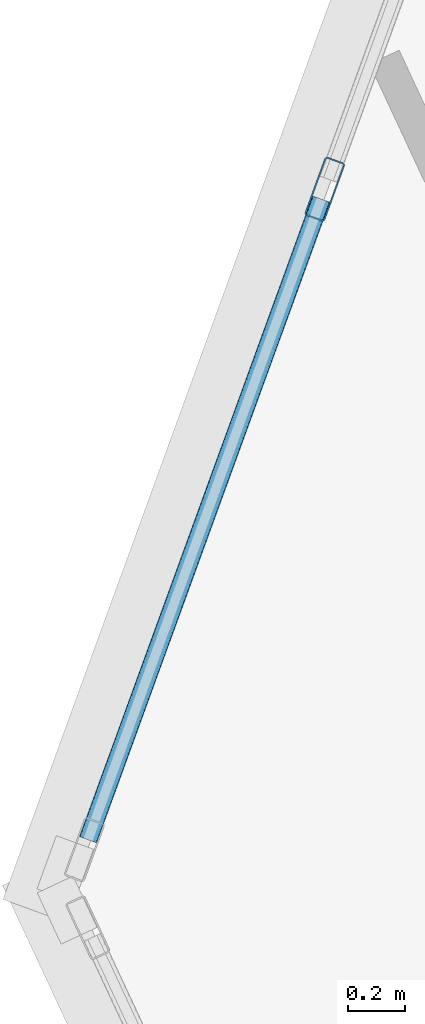
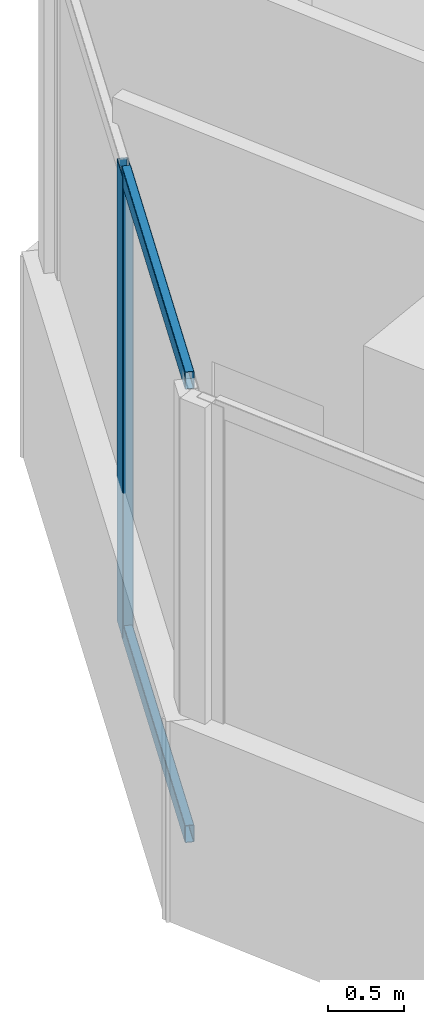
# One storey, part 6 of 17: 3 members, 1 element without a shape of its own.
"""IFC4 building model written with IfcOpenShell, lengths in metres."""

import ifcopenshell
import ifcopenshell.guid

model = None  # the IFC model being written
_history = None  # IfcOwnerHistory: only IFC2X3 demands one
_inside = {}  # id of a spatial element -> (the spatial element, [elements in it])
_under = {}  # id of a project, library or spatial element -> (it, [spatial elements below it])
_declared = {}  # id of a project -> (the project, [libraries it declares])
_typed = {}  # id of a type object -> (the type object, [elements of that type])
_made_of = {}  # id of a material, layer set ... -> (it, [elements and type objects made of it])


def new_model(schema):
    """Start an empty IFC model of exactly this schema.

    Asked for "IFC4X3", IfcOpenShell would pick the latest addendum, in which some entities
    have other attributes; the version numbers below select the first issue.
    IFC2X3 requires an IfcOwnerHistory on every rooted entity: one is made here for all.
    """
    global model, _history
    if schema == "IFC4X3":
        model = ifcopenshell.file(schema_version=(4, 3, 0, 0))
    else:
        model = ifcopenshell.file(schema=schema)
    _inside.clear()
    _under.clear()
    _declared.clear()
    _typed.clear()
    _made_of.clear()
    _history = None
    if model.schema == "IFC2X3":
        org = make("IfcOrganization", Name="unknown")
        user = make(
            "IfcPersonAndOrganization",
            ThePerson=make("IfcPerson", FamilyName="unknown"),
            TheOrganization=org,
        )
        app = make(
            "IfcApplication",
            ApplicationDeveloper=org,
            Version="unknown",
            ApplicationFullName="unknown",
            ApplicationIdentifier="unknown",
        )
        _history = make(
            "IfcOwnerHistory",
            OwningUser=user,
            OwningApplication=app,
            ChangeAction="ADDED",
            CreationDate=0,
        )
    return model


def make(cls, **values):
    """One entity of the class cls with the attributes given. An attribute that is None is left unset."""
    return model.create_entity(
        cls, **{name: value for name, value in values.items() if value is not None}
    )


def rooted(cls, **values):
    """An entity with a GlobalId (a new one), such as an element, a storey or a relation."""
    return make(cls, GlobalId=ifcopenshell.guid.new(), OwnerHistory=_history, **values)


def si_unit(unit_type, name, prefix=None):
    """IfcSIUnit, for example si_unit("LENGTHUNIT", "METRE", prefix="MILLI")."""
    return make("IfcSIUnit", UnitType=unit_type, Prefix=prefix, Name=name)


def assignment(units):
    """IfcUnitAssignment: the units of a project."""
    return None if units is None else make("IfcUnitAssignment", Units=units)


def point(xyz):
    """IfcCartesianPoint."""
    return None if xyz is None else make("IfcCartesianPoint", Coordinates=xyz)


def direction(xyz):
    """IfcDirection."""
    return None if xyz is None else make("IfcDirection", DirectionRatios=xyz)


def frame(location, z_axis=None, x_axis=None):
    """IfcAxis2Placement3D, a coordinate frame: its origin and axes. An axis left out is left unset."""
    return make(
        "IfcAxis2Placement3D",
        Location=point(location),
        Axis=direction(z_axis),
        RefDirection=direction(x_axis),
    )


def frame_2d(location, x_axis=None):
    """IfcAxis2Placement2D, a coordinate frame in the plane: its origin and x axis."""
    return make(
        "IfcAxis2Placement2D", Location=point(location), RefDirection=direction(x_axis)
    )


def origin():
    """The frame at (0, 0, 0) with its axes left unset."""
    return frame((0.0, 0.0, 0.0))


def origin_2d():
    """The frame at (0, 0) in the plane with its x axis left unset."""
    return frame_2d((0.0, 0.0))


def place(relative_to, where):
    """IfcLocalPlacement: puts the frame where relative to a parent placement (None: the world)."""
    return make(
        "IfcLocalPlacement", PlacementRelTo=relative_to, RelativePlacement=where
    )


def context(
    kind, dimensions, precision=None, world=None, true_north=None, identifier=None
):
    """IfcGeometricRepresentationContext, for example the 3D "Model" context."""
    return make(
        "IfcGeometricRepresentationContext",
        ContextIdentifier=identifier,
        ContextType=kind,
        CoordinateSpaceDimension=dimensions,
        Precision=precision,
        WorldCoordinateSystem=world,
        TrueNorth=true_north,
    )


def subcontext(parent, identifier, kind, view, scale=None):
    """IfcGeometricRepresentationSubContext, for example "Body" below "Model"."""
    return make(
        "IfcGeometricRepresentationSubContext",
        ContextIdentifier=identifier,
        ContextType=kind,
        ParentContext=parent,
        TargetScale=scale,
        TargetView=view,
    )


def project(units=None, contexts=None):
    """IfcProject with its units and contexts."""
    return rooted(
        "IfcProject",
        Name="project",
        RepresentationContexts=contexts,
        UnitsInContext=assignment(units),
    )


def spatial(cls, under=None, at=None, **own):
    """A site, building, storey or space (cls), placed at a placement, below another one or the project."""
    s = rooted(cls, ObjectPlacement=at, **own)
    if under is not None:
        _under.setdefault(under.id(), (under, []))[1].append(s)
    return s


def profile(cls, at=None, kind="AREA", **sizes):
    """A parametric profile (cls). Its sizes go by their IFC names, for example OverallWidth=200.0."""
    return make(cls, ProfileType=kind, Position=at, **sizes)


def hollow_rectangle(**sizes):
    """IfcRectangleHollowProfileDef."""
    return profile("IfcRectangleHollowProfileDef", **sizes)


def extrude(swept, where, along, depth):
    """IfcExtrudedAreaSolid: the profile swept, set in the frame where, extruded along a direction by depth."""
    return make(
        "IfcExtrudedAreaSolid",
        SweptArea=swept,
        Position=where,
        ExtrudedDirection=direction(along),
        Depth=depth,
    )


def shape(context_of_items, identifier, shape_type, items):
    """IfcShapeRepresentation: the items that make up one representation, for example the "Body"."""
    return make(
        "IfcShapeRepresentation",
        ContextOfItems=context_of_items,
        RepresentationIdentifier=identifier,
        RepresentationType=shape_type,
        Items=items,
    )


def source(mapping_origin, context_of_items, identifier, shape_type, items):
    """IfcRepresentationMap: a shape defined once, which mapped items show again and again."""
    return make(
        "IfcRepresentationMap",
        MappingOrigin=mapping_origin,
        MappedRepresentation=shape(context_of_items, identifier, shape_type, items),
    )


def transform(
    local_origin,
    x_axis=None,
    y_axis=None,
    z_axis=None,
    scale=None,
    scale2=None,
    scale3=None,
    uniform=True,
):
    """IfcCartesianTransformationOperator3D, or its non-uniform kind. x_axis, y_axis, z_axis: its Axis1, 2, 3."""
    if uniform:
        return make(
            "IfcCartesianTransformationOperator3D",
            Axis1=direction(x_axis),
            Axis2=direction(y_axis),
            LocalOrigin=point(local_origin),
            Scale=scale,
            Axis3=direction(z_axis),
        )
    return make(
        "IfcCartesianTransformationOperator3DnonUniform",
        Axis1=direction(x_axis),
        Axis2=direction(y_axis),
        LocalOrigin=point(local_origin),
        Scale=scale,
        Axis3=direction(z_axis),
        Scale2=scale2,
        Scale3=scale3,
    )


def mapped(mapping_source, mapping_target):
    """IfcMappedItem: shows the shape of a source again, moved by a transform."""
    return make(
        "IfcMappedItem", MappingSource=mapping_source, MappingTarget=mapping_target
    )


def material(Name=None, Category=None):
    """IfcMaterial."""
    return make("IfcMaterial", Name=Name, Category=Category)


def material_profile(
    of_material, cross_section, Name=None, Category=None, Priority=None
):
    """IfcMaterialProfile: a cross section and its material."""
    return make(
        "IfcMaterialProfile",
        Name=Name,
        Material=of_material,
        Profile=cross_section,
        Priority=Priority,
        Category=Category,
    )


def profile_set(profiles, Name=None, composite=None):
    """IfcMaterialProfileSet."""
    return make(
        "IfcMaterialProfileSet",
        Name=Name,
        MaterialProfiles=profiles,
        CompositeProfile=composite,
    )


def made_of(thing, what):
    """Note that an element or type object is made of a material, layer set ...; save() writes the relation."""
    if what is not None:
        _made_of.setdefault(what.id(), (what, []))[1].append(thing)
    return thing


def type_object(cls, material=None, **own):
    """A type object (cls), such as IfcWallType, which elements share."""
    return made_of(rooted(cls, **own), material)


def element(
    cls,
    number,
    at=None,
    inside=None,
    cuts=None,
    type_object=None,
    material=None,
    context=None,
    identifier="Body",
    shape_type=None,
    held_by="IfcProductDefinitionShape",
    body=None,
    shapes=None,
    **own,
):
    """One element of the class cls, such as IfcWall. Its Tag is "e" and its number.

    at: its placement. inside: the storey or other place that contains it. cuts: it is an
    opening in that element (IfcRelVoidsElement). A single representation is given by context,
    identifier, shape_type and body (its items); several are given by shapes. held_by: the class
    of the entity that holds the representations. save() writes the other relations.
    """
    e = rooted(cls, Tag="e%d" % number, ObjectPlacement=at, **own)
    if body is not None:
        shapes = [shape(context, identifier, shape_type, body)]
    if shapes is not None:
        e.Representation = make(held_by, Representations=shapes)
    if inside is not None:
        _inside.setdefault(inside.id(), (inside, []))[1].append(e)
    if cuts is not None:
        rooted(
            "IfcRelVoidsElement", RelatingBuildingElement=cuts, RelatedOpeningElement=e
        )
    if type_object is not None:
        _typed.setdefault(type_object.id(), (type_object, []))[1].append(e)
    return made_of(e, material)


def aggregate(whole, parts):
    """IfcRelAggregates: a whole, such as a stair, and the parts it consists of."""
    return rooted("IfcRelAggregates", RelatingObject=whole, RelatedObjects=parts)


def save(model, path):
    """Write the relations noted so far, then the file.

    IfcRelAggregates (storeys below a building ...), IfcRelContainedInSpatialStructure (elements
    in a storey), IfcRelDefinesByType, IfcRelAssociatesMaterial and IfcRelDeclares: one each for
    every whole, place, type object, material and project.
    """
    for whole, parts in _under.values():
        aggregate(whole, parts)
    for where, things in _inside.values():
        rooted(
            "IfcRelContainedInSpatialStructure",
            RelatedElements=things,
            RelatingStructure=where,
        )
    for kind, things in _typed.values():
        rooted("IfcRelDefinesByType", RelatedObjects=things, RelatingType=kind)
    for what, things in _made_of.values():
        rooted("IfcRelAssociatesMaterial", RelatedObjects=things, RelatingMaterial=what)
    for by, libraries in _declared.values():
        rooted("IfcRelDeclares", RelatingContext=by, RelatedDefinitions=libraries)
    model.write(path)


model = new_model("IFC4")

# Units and contexts
model_context = context("Model", 3, precision=1e-05, world=origin(), true_north=direction((0.0, 1.0)))
body_context = subcontext(model_context, "Body", "Model", "MODEL_VIEW")
ifc_project = project(units=[si_unit("LENGTHUNIT", "METRE"), si_unit("AREAUNIT", "SQUARE_METRE"), si_unit("VOLUMEUNIT", "CUBIC_METRE"), si_unit("PLANEANGLEUNIT", "RADIAN"), si_unit("MASSUNIT", "GRAM", prefix="KILO")], contexts=[model_context])

# Site, building, storey
site_placement = place(None, origin())
site = spatial("IfcSite", under=ifc_project, at=site_placement, CompositionType="ELEMENT")
building_placement = place(site_placement, origin())
building = spatial("IfcBuilding", under=site, at=building_placement, Name="Torre Montelarca", CompositionType="ELEMENT")
storey_placement = place(building_placement, frame((0.0, 0.0, 340.800048828125)))
storey = spatial("IfcBuildingStorey", under=building, at=storey_placement, Name="L77", CompositionType="ELEMENT", Elevation=340.800048828125)

# Curtain wall, members
ifc_material_1 = material(Name="Insulated low-E laminated glass", Category="glass")
curtain_wall_type = type_object("IfcCurtainWallType", Name="CW-SYS-Z4", PredefinedType="USERDEFINED", material=ifc_material_1)
curtain_wall_placement = place(storey_placement, origin())
curtain_wall = element("IfcCurtainWall", 1, at=curtain_wall_placement, inside=storey, type_object=curtain_wall_type, Name="L77 Curtain Wall Run CW-T3-L77-E11-B1", ObjectType="UNITISED GLAZING", PredefinedType="USERDEFINED")
ifc_material_2 = material(Name="Anodised aluminium AA 6063-T6", Category="aluminium")
ifc_material_profile_1 = material_profile(ifc_material_2, hollow_rectangle(XDim=0.074951171875, YDim=0.219970703125, WallThickness=0.0048828125, InnerFilletRadius=0.0048828125, OuterFilletRadius=0.010009765625, at=origin_2d()), Name="ALU75X220X5", Category="aluminium")
ifc_profile_set_1 = profile_set([ifc_material_profile_1], Name="Anodised aluminium AA 6063-T6")
member_type_1 = type_object("IfcMemberType", Name="CWM-ALU220", PredefinedType="MULLION", material=ifc_profile_set_1)
shared_shape_1 = source(origin(), body_context, "Body", "SweptSolid", [
    extrude(hollow_rectangle(XDim=0.074951171875, YDim=0.219970703125, WallThickness=0.0048828125, InnerFilletRadius=0.0048828125, OuterFilletRadius=0.010009765625, at=origin_2d()), origin(), (0.0, 0.0, 1.0), 3.719970703125),
])
member_1_placement = place(storey_placement, frame((0.171875, 39.386474609375, 0.0), z_axis=(0.0, 0.0, 1.0), x_axis=(0.939694365175, -0.342015350618, 0.0)))
member_1 = element("IfcMember", 2, at=member_1_placement, type_object=member_type_1, Name="CW mullion 2", PredefinedType="MULLION", context=body_context, shape_type="MappedRepresentation", body=[
    mapped(shared_shape_1, transform((0.0, 0.0, 0.0), scale=1.0)),
])
ifc_material_profile_2 = material_profile(ifc_material_2, hollow_rectangle(XDim=0.06494140625, YDim=0.139892578125, WallThickness=0.00390625, InnerFilletRadius=0.00390625, OuterFilletRadius=0.008056640625, at=origin_2d()), Name="ALU65X140X4", Category="aluminium")
ifc_profile_set_2 = profile_set([ifc_material_profile_2], Name="Anodised aluminium AA 6063-T6")
member_type_2 = type_object("IfcMemberType", Name="CWT-ALU140", PredefinedType="USERDEFINED", material=ifc_profile_set_2)
shared_shape_2 = source(origin(), body_context, "Body", "SweptSolid", [
    extrude(hollow_rectangle(XDim=0.06494140625, YDim=0.139892578125, WallThickness=0.00390625, InnerFilletRadius=0.00390625, OuterFilletRadius=0.008056640625, at=origin_2d()), origin(), (0.0, 0.0, 1.0), 2.40869140625),
])
member_2_placement = place(storey_placement, frame((0.1591796875, 39.351318359375, 0.032470703125), z_axis=(-0.341987202353, -0.939704609666, 0.0), x_axis=(0.939704609666, -0.341987202353, 0.0)))
member_2 = element("IfcMember", 3, at=member_2_placement, type_object=member_type_2, Name="CW transom 2.1", ObjectType="TRANSOM", PredefinedType="USERDEFINED", context=body_context, shape_type="MappedRepresentation", body=[
    mapped(shared_shape_2, transform((0.0, 0.0, 0.0), scale=1.0)),
])
member_3_placement = place(storey_placement, frame((0.1591796875, 39.351318359375, 3.6875), z_axis=(-0.341987202353, -0.939704609666, 0.0), x_axis=(0.939704609666, -0.341987202353, 0.0)))
member_3 = element("IfcMember", 4, at=member_3_placement, type_object=member_type_2, Name="CW transom 2.2", ObjectType="TRANSOM", PredefinedType="USERDEFINED", context=body_context, shape_type="MappedRepresentation", body=[
    mapped(shared_shape_2, transform((0.0, 0.0, 0.0), scale=1.0)),
])
aggregate(curtain_wall, [member_1, member_2, member_3])

save(model, "model.ifc")
